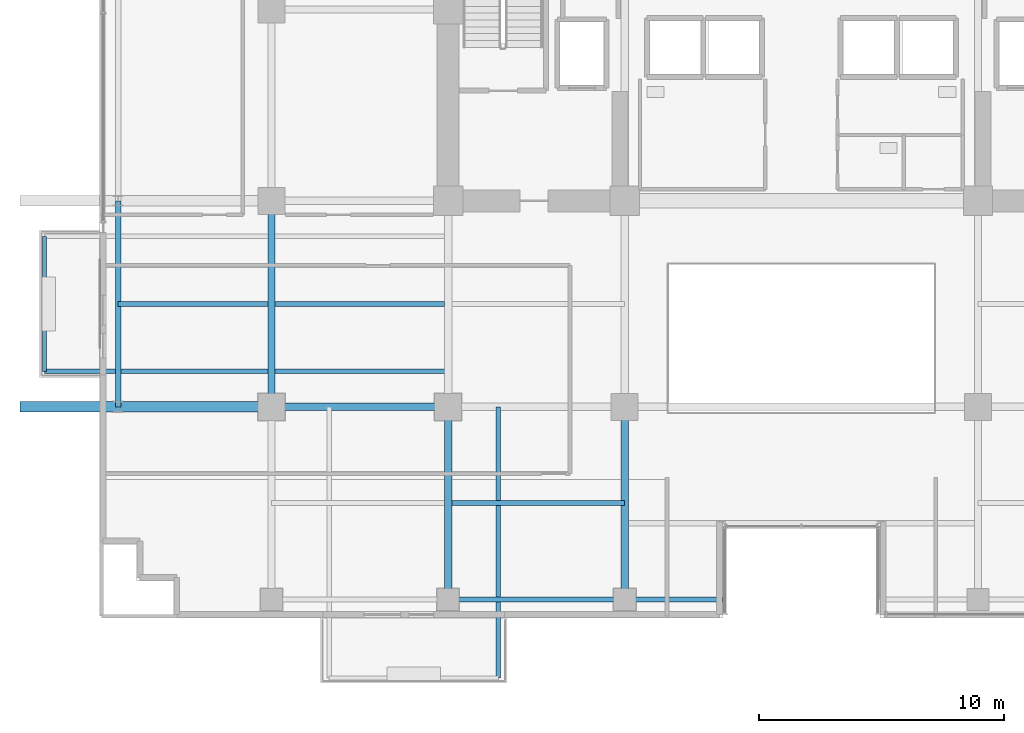
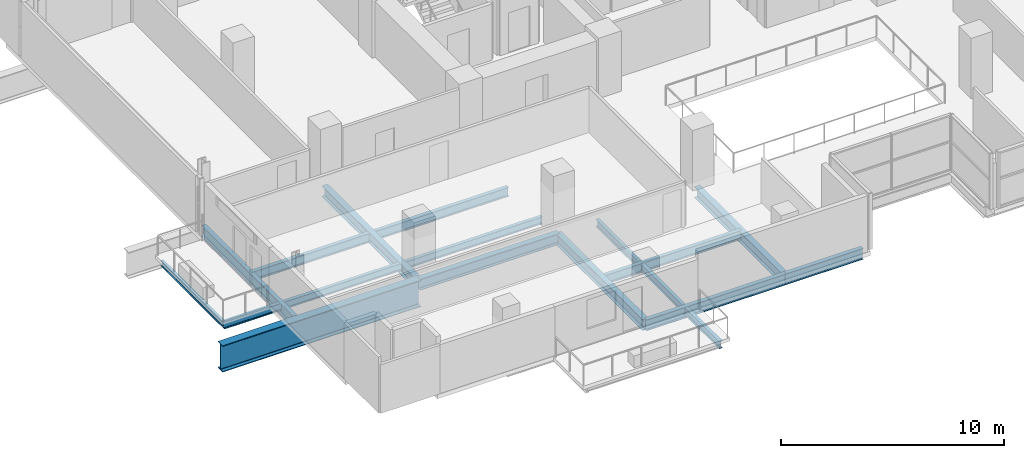
# One storey, part 2 of 31: 14 beams.
"""IFC4 building model written with IfcOpenShell, lengths in metres."""

from ifc_helpers import new_model, si_unit, direction, frame, origin, origin_2d, place, context, subcontext, project, spatial, i_section, extrude, material, material_profile, profile_set, type_object, element, save


model = new_model("IFC4")

# Units and contexts
model_context = context("Model", 3, precision=1e-05, world=origin(), true_north=direction((0.0, 1.0)))
body_context = subcontext(model_context, "Body", "Model", "MODEL_VIEW")
ifc_project = project(units=[si_unit("LENGTHUNIT", "METRE"), si_unit("AREAUNIT", "SQUARE_METRE"), si_unit("VOLUMEUNIT", "CUBIC_METRE"), si_unit("PLANEANGLEUNIT", "RADIAN"), si_unit("MASSUNIT", "GRAM", prefix="KILO")], contexts=[model_context])

# Site, building, storey
site_placement = place(None, origin())
site = spatial("IfcSite", under=ifc_project, at=site_placement, CompositionType="ELEMENT")
building_placement = place(site_placement, origin())
building = spatial("IfcBuilding", under=site, at=building_placement, Name="Zarnakvel Exchange Tower", CompositionType="ELEMENT")
storey_placement = place(building_placement, frame((0.0, 0.0, 53.800048828125)))
storey = spatial("IfcBuildingStorey", under=building, at=storey_placement, Name="L14", CompositionType="ELEMENT", Elevation=53.800048828125)

# Beams
ifc_material_1 = material(Name="Steel S355", Category="steel")
ifc_material_profile_1 = material_profile(ifc_material_1, i_section(OverallWidth=0.199951171875, OverallDepth=0.5, WebThickness=0.01025390625, FlangeThickness=0.01611328125, FilletRadius=0.02099609375, at=origin_2d()))
ifc_profile_set_1 = profile_set([ifc_material_profile_1], Name="Steel S355")
beam_type_1 = type_object("IfcBeamType", Name="B-04", PredefinedType="JOIST", material=ifc_profile_set_1)
beam_1_placement = place(storey_placement, frame((-14.25, -13.52490234375, -0.47509765625), z_axis=(1.0, 0.0, 0.0), x_axis=(0.0, 1.0, 0.0)))
element("IfcBeam", 1, at=beam_1_placement, inside=storey, type_object=beam_type_1, Name="L14 Composite Floor Secondary Joist", PredefinedType="JOIST", context=body_context, shape_type="SweptSolid", body=[
    extrude(i_section(OverallWidth=0.199951171875, OverallDepth=0.5, WebThickness=0.01025390625, FlangeThickness=0.01611328125, FilletRadius=0.02099609375, at=origin_2d()), origin(), (0.0, 0.0, 1.0), 7.050048828125),
])
beam_2_placement = place(storey_placement, frame((-27.85009765625, -5.39990234375, -0.47509765625), z_axis=(1.0, 0.0, 0.0), x_axis=(0.0, 1.0, 0.0)))
element("IfcBeam", 2, at=beam_2_placement, inside=storey, type_object=beam_type_1, Name="L14 Composite Floor Secondary Joist", PredefinedType="JOIST", context=body_context, shape_type="SweptSolid", body=[
    extrude(i_section(OverallWidth=0.199951171875, OverallDepth=0.5, WebThickness=0.01025390625, FlangeThickness=0.01611328125, FilletRadius=0.02099609375, at=origin_2d()), origin(), (0.0, 0.0, 1.0), 6.10009765625),
])
beam_3_placement = place(storey_placement, frame((-21.449951171875, -5.39990234375, -0.47509765625), z_axis=(1.0, 0.0, 0.0), x_axis=(0.0, 1.0, 0.0)))
element("IfcBeam", 3, at=beam_3_placement, inside=storey, type_object=beam_type_1, Name="L14 Composite Floor Secondary Joist", PredefinedType="JOIST", context=body_context, shape_type="SweptSolid", body=[
    extrude(i_section(OverallWidth=0.199951171875, OverallDepth=0.5, WebThickness=0.01025390625, FlangeThickness=0.01611328125, FilletRadius=0.02099609375, at=origin_2d()), origin(), (0.0, 0.0, 1.0), 6.89990234375),
])
ifc_material_profile_2 = material_profile(ifc_material_1, i_section(OverallWidth=0.179931640625, OverallDepth=0.39990234375, WebThickness=0.008544921875, FlangeThickness=0.013427734375, FilletRadius=0.02099609375, at=origin_2d()))
ifc_profile_set_2 = profile_set([ifc_material_profile_2], Name="Steel S355")
beam_type_2 = type_object("IfcBeamType", Name="B-06", PredefinedType="JOIST", material=ifc_profile_set_2)
beam_4_placement = place(storey_placement, frame((-12.35009765625, -9.60009765625, -0.425048828125), z_axis=(0.0, -1.0, 0.0), x_axis=(1.0, 0.0, 0.0)))
element("IfcBeam", 4, at=beam_4_placement, inside=storey, type_object=beam_type_2, Name="L14 Continuous Back-Spanned Balcony Beam E", PredefinedType="JOIST", context=body_context, shape_type="SweptSolid", body=[
    extrude(i_section(OverallWidth=0.179931640625, OverallDepth=0.39990234375, WebThickness=0.008544921875, FlangeThickness=0.013427734375, FilletRadius=0.02099609375, at=origin_2d()), origin(), (0.0, 0.0, 1.0), 11.0498046875),
])
beam_5_placement = place(storey_placement, frame((-14.39990234375, -8.14990234375, -0.425048828125), z_axis=(-1.0, 0.0, 0.0), x_axis=(0.0, -1.0, 0.0)))
element("IfcBeam", 5, at=beam_5_placement, inside=storey, type_object=beam_type_2, Name="L14 Continuous West Loggia Beam S", PredefinedType="JOIST", context=body_context, shape_type="SweptSolid", body=[
    extrude(i_section(OverallWidth=0.179931640625, OverallDepth=0.39990234375, WebThickness=0.008544921875, FlangeThickness=0.013427734375, FilletRadius=0.02099609375, at=origin_2d()), origin(), (0.0, 0.0, 1.0), 16.4501953125),
])
ifc_material_profile_3 = material_profile(ifc_material_1, i_section(OverallWidth=0.14990234375, OverallDepth=0.300048828125, WebThickness=0.007080078125, FlangeThickness=0.0107421875, FilletRadius=0.014892578125, at=origin_2d()))
ifc_profile_set_3 = profile_set([ifc_material_profile_3], Name="Steel S355")
beam_type_3 = type_object("IfcBeamType", Name="B-08", PredefinedType="JOIST", material=ifc_profile_set_3)
beam_6_placement = place(storey_placement, frame((-30.85009765625, -8.14990234375, -0.375), z_axis=(0.0, 1.0, 0.0), x_axis=(-1.0, 0.0, 0.0)))
element("IfcBeam", 6, at=beam_6_placement, inside=storey, type_object=beam_type_3, Name="L14 West Loggia Edge Beam", PredefinedType="JOIST", context=body_context, shape_type="SweptSolid", body=[
    extrude(i_section(OverallWidth=0.14990234375, OverallDepth=0.300048828125, WebThickness=0.007080078125, FlangeThickness=0.0107421875, FilletRadius=0.014892578125, at=origin_2d()), origin(), (0.0, 0.0, 1.0), 5.5),
])
ifc_material_profile_4 = material_profile(ifc_material_1, i_section(OverallWidth=0.300048828125, OverallDepth=0.60009765625, WebThickness=0.015380859375, FlangeThickness=0.030029296875, FilletRadius=0.027099609375, at=origin_2d()))
ifc_profile_set_4 = profile_set([ifc_material_profile_4], Name="Steel S355")
beam_type_4 = type_object("IfcBeamType", Name="G-04", PredefinedType="BEAM", material=ifc_profile_set_4)
beam_7_placement = place(storey_placement, frame((-21.60009765625, -9.60009765625, -0.525146484375), z_axis=(1.0, 0.0, 0.0), x_axis=(0.0, 1.0, 0.0)))
element("IfcBeam", 7, at=beam_7_placement, inside=storey, type_object=beam_type_4, Name="L14 Tower E-W Frame Beam", PredefinedType="BEAM", context=body_context, shape_type="SweptSolid", body=[
    extrude(i_section(OverallWidth=0.300048828125, OverallDepth=0.60009765625, WebThickness=0.015380859375, FlangeThickness=0.030029296875, FilletRadius=0.027099609375, at=origin_2d()), origin(), (0.0, 0.0, 1.0), 7.2001953125),
])
beam_8_placement = place(storey_placement, frame((-21.60009765625, -9.60009765625, -0.525146484375), z_axis=(0.0, 1.0, 0.0), x_axis=(-1.0, 0.0, 0.0)))
element("IfcBeam", 8, at=beam_8_placement, inside=storey, type_object=beam_type_4, Name="L14 Tower N-S Frame Beam", PredefinedType="BEAM", context=body_context, shape_type="SweptSolid", body=[
    extrude(i_section(OverallWidth=0.300048828125, OverallDepth=0.60009765625, WebThickness=0.015380859375, FlangeThickness=0.030029296875, FilletRadius=0.027099609375, at=origin_2d()), origin(), (0.0, 0.0, 1.0), 8.400146484375),
])
for number, where, z_axis, x_axis, name in (
    (9, (-14.39990234375, -17.449951171875, -0.525146484375), (0.0, 1.0, 0.0), (-1.0, 0.0, 0.0), "L14 Tower N-S Frame Beam"),
    (10, (-7.199951171875, -17.449951171875, -0.525146484375), (0.0, 1.0, 0.0), (-1.0, 0.0, 0.0), "L14 Tower N-S Frame Beam"),
):
    element("IfcBeam", number, at=place(storey_placement, frame(where, z_axis=z_axis, x_axis=x_axis)), inside=storey, type_object=beam_type_4, Name=name, PredefinedType="BEAM", context=body_context, shape_type="SweptSolid", body=[
        extrude(i_section(OverallWidth=0.300048828125, OverallDepth=0.60009765625, WebThickness=0.015380859375, FlangeThickness=0.030029296875, FilletRadius=0.027099609375, at=origin_2d()), origin(), (0.0, 0.0, 1.0), 7.849853515625),
    ])
ifc_material_profile_5 = material_profile(ifc_material_1, i_section(OverallWidth=0.219970703125, OverallDepth=0.60009765625, WebThickness=0.011962890625, FlangeThickness=0.01904296875, FilletRadius=0.02392578125, at=origin_2d()))
ifc_profile_set_5 = profile_set([ifc_material_profile_5], Name="Steel S355")
beam_type_5 = type_object("IfcBeamType", Name="SP-01", PredefinedType="SPANDREL", material=ifc_profile_set_5)
beam_9_placement = place(storey_placement, frame((-14.39990234375, -17.449951171875, -0.525146484375), z_axis=(1.0, 0.0, 0.0), x_axis=(0.0, 1.0, 0.0)))
element("IfcBeam", 11, at=beam_9_placement, inside=storey, type_object=beam_type_5, Name="L14 Tower E-W Frame Beam", PredefinedType="SPANDREL", context=body_context, shape_type="SweptSolid", body=[
    extrude(i_section(OverallWidth=0.219970703125, OverallDepth=0.60009765625, WebThickness=0.011962890625, FlangeThickness=0.01904296875, FilletRadius=0.02392578125, at=origin_2d()), origin(), (0.0, 0.0, 1.0), 7.199951171875),
])
beam_10_placement = place(storey_placement, frame((-7.199951171875, -17.449951171875, -0.525146484375), z_axis=(1.0, 0.0, 0.0), x_axis=(0.0, 1.0, 0.0)))
element("IfcBeam", 12, at=beam_10_placement, inside=storey, type_object=beam_type_5, Name="L14 South Slot West Jamb Spandrel", PredefinedType="SPANDREL", context=body_context, shape_type="SweptSolid", body=[
    extrude(i_section(OverallWidth=0.219970703125, OverallDepth=0.60009765625, WebThickness=0.011962890625, FlangeThickness=0.01904296875, FilletRadius=0.02392578125, at=origin_2d()), origin(), (0.0, 0.0, 1.0), 4.0),
])
beam_11_placement = place(storey_placement, frame((-27.85009765625, -9.60009765625, -0.525146484375), z_axis=(0.0, 1.0, 0.0), x_axis=(-1.0, 0.0, 0.0)))
element("IfcBeam", 13, at=beam_11_placement, inside=storey, type_object=beam_type_5, Name="L14 Tower N-S Frame Beam", PredefinedType="SPANDREL", context=body_context, shape_type="SweptSolid", body=[
    extrude(i_section(OverallWidth=0.219970703125, OverallDepth=0.60009765625, WebThickness=0.011962890625, FlangeThickness=0.01904296875, FilletRadius=0.02392578125, at=origin_2d()), origin(), (0.0, 0.0, 1.0), 8.400146484375),
])
ifc_material_2 = material(Name="Steel S460", Category="steel")
ifc_material_profile_6 = material_profile(ifc_material_2, i_section(OverallWidth=0.419921875, OverallDepth=1.449951171875, WebThickness=0.02392578125, FlangeThickness=0.0400390625, FilletRadius=0.030029296875, at=origin_2d()))
ifc_profile_set_6 = profile_set([ifc_material_profile_6], Name="Steel S460")
beam_type_6 = type_object("IfcBeamType", Name="TG-01", PredefinedType="BEAM", material=ifc_profile_set_6)
beam_12_placement = place(storey_placement, frame((-31.85009765625, -9.60009765625, -0.949951171875), z_axis=(1.0, 0.0, 0.0), x_axis=(0.0, 1.0, 0.0)))
element("IfcBeam", 14, at=beam_12_placement, inside=storey, type_object=beam_type_6, Name="L14 Setback E-W Transfer Girder TW-C", PredefinedType="BEAM", context=body_context, shape_type="SweptSolid", body=[
    extrude(i_section(OverallWidth=0.419921875, OverallDepth=1.449951171875, WebThickness=0.02392578125, FlangeThickness=0.0400390625, FilletRadius=0.030029296875, at=origin_2d()), origin(), (0.0, 0.0, 1.0), 10.25),
])

save(model, "model.ifc")
